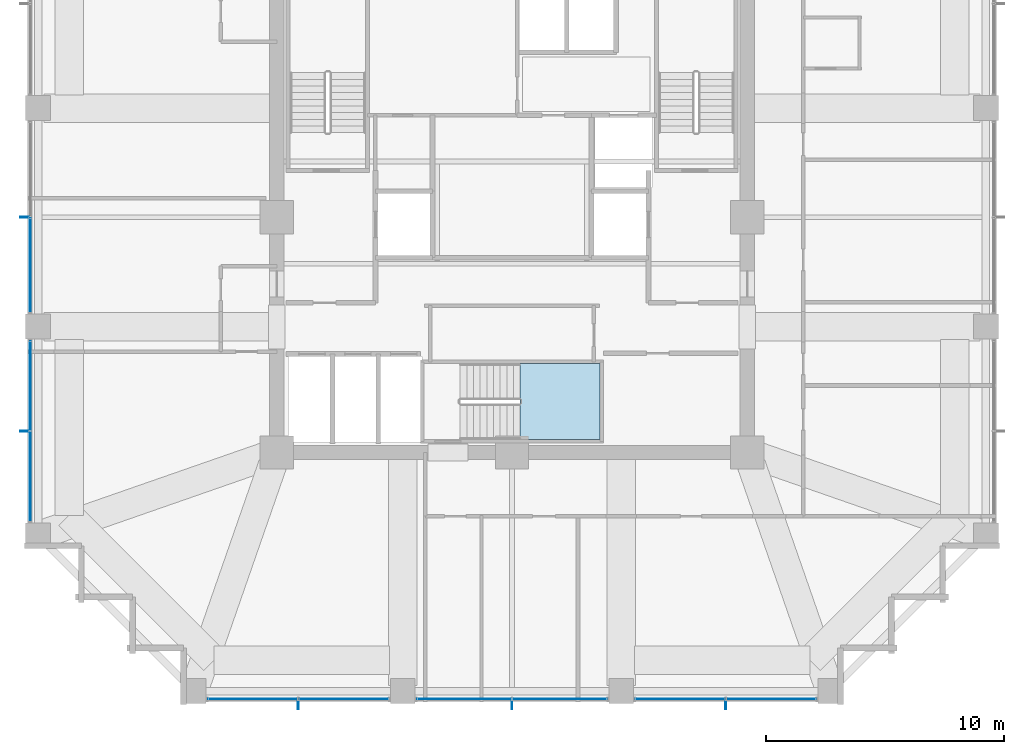
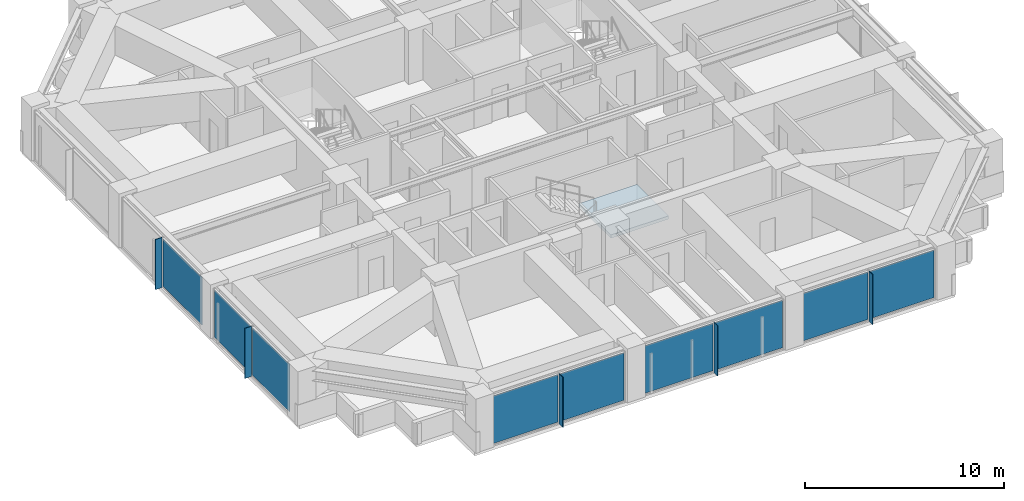
# One storey, part 25 of 34: 14 plates, 1 slab, 6 elements without a shape of their own.
"""IFC4 building model written with IfcOpenShell, lengths in metres."""

import ifcopenshell
import ifcopenshell.guid

model = None  # the IFC model being written
_history = None  # IfcOwnerHistory: only IFC2X3 demands one
_inside = {}  # id of a spatial element -> (the spatial element, [elements in it])
_under = {}  # id of a project, library or spatial element -> (it, [spatial elements below it])
_declared = {}  # id of a project -> (the project, [libraries it declares])
_typed = {}  # id of a type object -> (the type object, [elements of that type])
_made_of = {}  # id of a material, layer set ... -> (it, [elements and type objects made of it])


def new_model(schema):
    """Start an empty IFC model of exactly this schema.

    Asked for "IFC4X3", IfcOpenShell would pick the latest addendum, in which some entities
    have other attributes; the version numbers below select the first issue.
    IFC2X3 requires an IfcOwnerHistory on every rooted entity: one is made here for all.
    """
    global model, _history
    if schema == "IFC4X3":
        model = ifcopenshell.file(schema_version=(4, 3, 0, 0))
    else:
        model = ifcopenshell.file(schema=schema)
    _inside.clear()
    _under.clear()
    _declared.clear()
    _typed.clear()
    _made_of.clear()
    _history = None
    if model.schema == "IFC2X3":
        org = make("IfcOrganization", Name="unknown")
        user = make(
            "IfcPersonAndOrganization",
            ThePerson=make("IfcPerson", FamilyName="unknown"),
            TheOrganization=org,
        )
        app = make(
            "IfcApplication",
            ApplicationDeveloper=org,
            Version="unknown",
            ApplicationFullName="unknown",
            ApplicationIdentifier="unknown",
        )
        _history = make(
            "IfcOwnerHistory",
            OwningUser=user,
            OwningApplication=app,
            ChangeAction="ADDED",
            CreationDate=0,
        )
    return model


def make(cls, **values):
    """One entity of the class cls with the attributes given. An attribute that is None is left unset."""
    return model.create_entity(
        cls, **{name: value for name, value in values.items() if value is not None}
    )


def rooted(cls, **values):
    """An entity with a GlobalId (a new one), such as an element, a storey or a relation."""
    return make(cls, GlobalId=ifcopenshell.guid.new(), OwnerHistory=_history, **values)


def si_unit(unit_type, name, prefix=None):
    """IfcSIUnit, for example si_unit("LENGTHUNIT", "METRE", prefix="MILLI")."""
    return make("IfcSIUnit", UnitType=unit_type, Prefix=prefix, Name=name)


def assignment(units):
    """IfcUnitAssignment: the units of a project."""
    return None if units is None else make("IfcUnitAssignment", Units=units)


def point(xyz):
    """IfcCartesianPoint."""
    return None if xyz is None else make("IfcCartesianPoint", Coordinates=xyz)


def direction(xyz):
    """IfcDirection."""
    return None if xyz is None else make("IfcDirection", DirectionRatios=xyz)


def frame(location, z_axis=None, x_axis=None):
    """IfcAxis2Placement3D, a coordinate frame: its origin and axes. An axis left out is left unset."""
    return make(
        "IfcAxis2Placement3D",
        Location=point(location),
        Axis=direction(z_axis),
        RefDirection=direction(x_axis),
    )


def frame_2d(location, x_axis=None):
    """IfcAxis2Placement2D, a coordinate frame in the plane: its origin and x axis."""
    return make(
        "IfcAxis2Placement2D", Location=point(location), RefDirection=direction(x_axis)
    )


def origin():
    """The frame at (0, 0, 0) with its axes left unset."""
    return frame((0.0, 0.0, 0.0))


def origin_2d():
    """The frame at (0, 0) in the plane with its x axis left unset."""
    return frame_2d((0.0, 0.0))


def place(relative_to, where):
    """IfcLocalPlacement: puts the frame where relative to a parent placement (None: the world)."""
    return make(
        "IfcLocalPlacement", PlacementRelTo=relative_to, RelativePlacement=where
    )


def context(
    kind, dimensions, precision=None, world=None, true_north=None, identifier=None
):
    """IfcGeometricRepresentationContext, for example the 3D "Model" context."""
    return make(
        "IfcGeometricRepresentationContext",
        ContextIdentifier=identifier,
        ContextType=kind,
        CoordinateSpaceDimension=dimensions,
        Precision=precision,
        WorldCoordinateSystem=world,
        TrueNorth=true_north,
    )


def subcontext(parent, identifier, kind, view, scale=None):
    """IfcGeometricRepresentationSubContext, for example "Body" below "Model"."""
    return make(
        "IfcGeometricRepresentationSubContext",
        ContextIdentifier=identifier,
        ContextType=kind,
        ParentContext=parent,
        TargetScale=scale,
        TargetView=view,
    )


def project(units=None, contexts=None):
    """IfcProject with its units and contexts."""
    return rooted(
        "IfcProject",
        Name="project",
        RepresentationContexts=contexts,
        UnitsInContext=assignment(units),
    )


def spatial(cls, under=None, at=None, **own):
    """A site, building, storey or space (cls), placed at a placement, below another one or the project."""
    s = rooted(cls, ObjectPlacement=at, **own)
    if under is not None:
        _under.setdefault(under.id(), (under, []))[1].append(s)
    return s


def polyline(points):
    """IfcPolyline through the points."""
    return make("IfcPolyline", Points=[point(p) for p in points])


def profile(cls, at=None, kind="AREA", **sizes):
    """A parametric profile (cls). Its sizes go by their IFC names, for example OverallWidth=200.0."""
    return make(cls, ProfileType=kind, Position=at, **sizes)


def rectangle(**sizes):
    """IfcRectangleProfileDef."""
    return profile("IfcRectangleProfileDef", **sizes)


def outline(outer, holes=None, kind="AREA"):
    """IfcArbitraryClosedProfileDef: a profile drawn as a closed curve; with holes, ...WithVoids."""
    if holes is None:
        return make("IfcArbitraryClosedProfileDef", ProfileType=kind, OuterCurve=outer)
    return make(
        "IfcArbitraryProfileDefWithVoids",
        ProfileType=kind,
        OuterCurve=outer,
        InnerCurves=holes,
    )


def extrude(swept, where, along, depth):
    """IfcExtrudedAreaSolid: the profile swept, set in the frame where, extruded along a direction by depth."""
    return make(
        "IfcExtrudedAreaSolid",
        SweptArea=swept,
        Position=where,
        ExtrudedDirection=direction(along),
        Depth=depth,
    )


def shape(context_of_items, identifier, shape_type, items):
    """IfcShapeRepresentation: the items that make up one representation, for example the "Body"."""
    return make(
        "IfcShapeRepresentation",
        ContextOfItems=context_of_items,
        RepresentationIdentifier=identifier,
        RepresentationType=shape_type,
        Items=items,
    )


def material(Name=None, Category=None):
    """IfcMaterial."""
    return make("IfcMaterial", Name=Name, Category=Category)


def layer(
    of_material, thickness, ventilated=None, Name=None, Category=None, Priority=None
):
    """IfcMaterialLayer: one layer of a wall or slab, of a material (None: an air gap)."""
    return make(
        "IfcMaterialLayer",
        Material=of_material,
        LayerThickness=thickness,
        IsVentilated=ventilated,
        Name=Name,
        Category=Category,
        Priority=Priority,
    )


def layer_set(layers, Name=None):
    """IfcMaterialLayerSet."""
    return make("IfcMaterialLayerSet", MaterialLayers=layers, LayerSetName=Name)


def made_of(thing, what):
    """Note that an element or type object is made of a material, layer set ...; save() writes the relation."""
    if what is not None:
        _made_of.setdefault(what.id(), (what, []))[1].append(thing)
    return thing


def type_object(cls, material=None, **own):
    """A type object (cls), such as IfcWallType, which elements share."""
    return made_of(rooted(cls, **own), material)


def element(
    cls,
    number,
    at=None,
    inside=None,
    cuts=None,
    type_object=None,
    material=None,
    context=None,
    identifier="Body",
    shape_type=None,
    held_by="IfcProductDefinitionShape",
    body=None,
    shapes=None,
    **own,
):
    """One element of the class cls, such as IfcWall. Its Tag is "e" and its number.

    at: its placement. inside: the storey or other place that contains it. cuts: it is an
    opening in that element (IfcRelVoidsElement). A single representation is given by context,
    identifier, shape_type and body (its items); several are given by shapes. held_by: the class
    of the entity that holds the representations. save() writes the other relations.
    """
    e = rooted(cls, Tag="e%d" % number, ObjectPlacement=at, **own)
    if body is not None:
        shapes = [shape(context, identifier, shape_type, body)]
    if shapes is not None:
        e.Representation = make(held_by, Representations=shapes)
    if inside is not None:
        _inside.setdefault(inside.id(), (inside, []))[1].append(e)
    if cuts is not None:
        rooted(
            "IfcRelVoidsElement", RelatingBuildingElement=cuts, RelatedOpeningElement=e
        )
    if type_object is not None:
        _typed.setdefault(type_object.id(), (type_object, []))[1].append(e)
    return made_of(e, material)


def aggregate(whole, parts):
    """IfcRelAggregates: a whole, such as a stair, and the parts it consists of."""
    return rooted("IfcRelAggregates", RelatingObject=whole, RelatedObjects=parts)


def save(model, path):
    """Write the relations noted so far, then the file.

    IfcRelAggregates (storeys below a building ...), IfcRelContainedInSpatialStructure (elements
    in a storey), IfcRelDefinesByType, IfcRelAssociatesMaterial and IfcRelDeclares: one each for
    every whole, place, type object, material and project.
    """
    for whole, parts in _under.values():
        aggregate(whole, parts)
    for where, things in _inside.values():
        rooted(
            "IfcRelContainedInSpatialStructure",
            RelatedElements=things,
            RelatingStructure=where,
        )
    for kind, things in _typed.values():
        rooted("IfcRelDefinesByType", RelatedObjects=things, RelatingType=kind)
    for what, things in _made_of.values():
        rooted("IfcRelAssociatesMaterial", RelatedObjects=things, RelatingMaterial=what)
    for by, libraries in _declared.values():
        rooted("IfcRelDeclares", RelatingContext=by, RelatedDefinitions=libraries)
    model.write(path)


model = new_model("IFC4")

# Units and contexts
model_context = context("Model", 3, precision=1e-05, world=origin(), true_north=direction((0.0, 1.0)))
body_context = subcontext(model_context, "Body", "Model", "MODEL_VIEW")
ifc_project = project(units=[si_unit("LENGTHUNIT", "METRE"), si_unit("AREAUNIT", "SQUARE_METRE"), si_unit("VOLUMEUNIT", "CUBIC_METRE"), si_unit("PLANEANGLEUNIT", "RADIAN"), si_unit("MASSUNIT", "GRAM", prefix="KILO")], contexts=[model_context])

# Site, building, storey
site_placement = place(None, origin())
site = spatial("IfcSite", under=ifc_project, at=site_placement, CompositionType="ELEMENT")
building_placement = place(site_placement, origin())
building = spatial("IfcBuilding", under=site, at=building_placement, Name="Kolvaren Belvedere", CompositionType="ELEMENT")
storey_placement = place(building_placement, frame((0.0, 0.0, 105.199951171875)))
storey = spatial("IfcBuildingStorey", under=building, at=storey_placement, Name="L30", CompositionType="ELEMENT", Elevation=105.199951171875)

# Curtain wall, plates
ifc_material_1 = material(Name="Anodised pale-metal aluminium AA 6063-T6", Category="aluminium")
curtain_wall_type = type_object("IfcCurtainWallType", Name="CW-Z2-MID", PredefinedType="NOTDEFINED", material=ifc_material_1)
curtain_wall_1_placement = place(storey_placement, origin())
curtain_wall_1 = element("IfcCurtainWall", 1, at=curtain_wall_1_placement, inside=storey, type_object=curtain_wall_type, Name="L30 Unitised Curtain Wall FCW-L30-S-B1", PredefinedType="NOTDEFINED")
ifc_material_2 = material(Name="Low-iron triple insulated glass", Category="glass")
ifc_layer_1 = layer(ifc_material_2, 0.028076171875)
ifc_layer_set_1 = layer_set([ifc_layer_1], Name="Low-iron triple insulated glass")
plate_type_1 = type_object("IfcPlateType", Name="CW-PNL-VIS28", PredefinedType="CURTAIN_PANEL", material=ifc_layer_set_1)
plate_1_placement = place(storey_placement, frame((10.9111328125, -20.280029296875, 0.080078125), z_axis=(0.0, 0.0, 1.0), x_axis=(-1.0, 0.0, 0.0)))
plate_1 = element("IfcPlate", 2, at=plate_1_placement, type_object=plate_type_1, Name="FCW-L30-S-B1 Vision Glazing Panel 1", PredefinedType="CURTAIN_PANEL", context=body_context, shape_type="SweptSolid", body=[
    extrude(rectangle(XDim=3.742431640625, YDim=0.028076171875, at=origin_2d()), origin(), (0.0, 0.0, 1.0), 2.919921875),
])
plate_2_placement = place(storey_placement, frame((7.0888671875, -20.280029296875, 0.080078125), z_axis=(0.0, 0.0, 1.0), x_axis=(-1.0, 0.0, 0.0)))
plate_2 = element("IfcPlate", 3, at=plate_2_placement, type_object=plate_type_1, Name="FCW-L30-S-B1 Vision Glazing Panel 2", PredefinedType="CURTAIN_PANEL", context=body_context, shape_type="SweptSolid", body=[
    extrude(rectangle(XDim=3.742431640625, YDim=0.028076171875, at=origin_2d()), origin(), (0.0, 0.0, 1.0), 2.919921875),
])
aggregate(curtain_wall_1, [plate_1, plate_2])

curtain_wall_2_placement = place(storey_placement, origin())
curtain_wall_2 = element("IfcCurtainWall", 4, at=curtain_wall_2_placement, inside=storey, type_object=curtain_wall_type, Name="L30 Unitised Curtain Wall FCW-L30-S-B2", PredefinedType="NOTDEFINED")
plate_3_placement = place(storey_placement, frame((2.01123046875, -20.280029296875, 0.080078125), z_axis=(0.0, 0.0, 1.0), x_axis=(-1.0, 0.0, 0.0)))
plate_3 = element("IfcPlate", 5, at=plate_3_placement, type_object=plate_type_1, Name="FCW-L30-S-B2 Vision Glazing Panel 1", PredefinedType="CURTAIN_PANEL", context=body_context, shape_type="SweptSolid", body=[
    extrude(rectangle(XDim=3.9423828125, YDim=0.028076171875, at=origin_2d()), origin(), (0.0, 0.0, 1.0), 2.919921875),
])
plate_4_placement = place(storey_placement, frame((-2.01123046875, -20.280029296875, 0.080078125), z_axis=(0.0, 0.0, 1.0), x_axis=(-1.0, 0.0, 0.0)))
plate_4 = element("IfcPlate", 6, at=plate_4_placement, type_object=plate_type_1, Name="FCW-L30-S-B2 Vision Glazing Panel 2", PredefinedType="CURTAIN_PANEL", context=body_context, shape_type="SweptSolid", body=[
    extrude(rectangle(XDim=3.9423828125, YDim=0.028076171875, at=origin_2d()), origin(), (0.0, 0.0, 1.0), 2.919921875),
])
aggregate(curtain_wall_2, [plate_3, plate_4])

curtain_wall_3_placement = place(storey_placement, origin())
curtain_wall_3 = element("IfcCurtainWall", 7, at=curtain_wall_3_placement, inside=storey, type_object=curtain_wall_type, Name="L30 Unitised Curtain Wall FCW-L30-S-B3", PredefinedType="NOTDEFINED")
plate_5_placement = place(storey_placement, frame((-7.0888671875, -20.280029296875, 0.080078125), z_axis=(0.0, 0.0, 1.0), x_axis=(-1.0, 0.0, 0.0)))
plate_5 = element("IfcPlate", 8, at=plate_5_placement, type_object=plate_type_1, Name="FCW-L30-S-B3 Vision Glazing Panel 1", PredefinedType="CURTAIN_PANEL", context=body_context, shape_type="SweptSolid", body=[
    extrude(rectangle(XDim=3.742431640625, YDim=0.028076171875, at=origin_2d()), origin(), (0.0, 0.0, 1.0), 2.919921875),
])
plate_6_placement = place(storey_placement, frame((-10.9111328125, -20.280029296875, 0.080078125), z_axis=(0.0, 0.0, 1.0), x_axis=(-1.0, 0.0, 0.0)))
plate_6 = element("IfcPlate", 9, at=plate_6_placement, type_object=plate_type_1, Name="FCW-L30-S-B3 Vision Glazing Panel 2", PredefinedType="CURTAIN_PANEL", context=body_context, shape_type="SweptSolid", body=[
    extrude(rectangle(XDim=3.742431640625, YDim=0.028076171875, at=origin_2d()), origin(), (0.0, 0.0, 1.0), 2.919921875),
])
aggregate(curtain_wall_3, [plate_5, plate_6])

curtain_wall_4_placement = place(storey_placement, origin())
curtain_wall_4 = element("IfcCurtainWall", 10, at=curtain_wall_4_placement, inside=storey, type_object=curtain_wall_type, Name="L30 Unitised Curtain Wall FCW-L30-W-B1", PredefinedType="NOTDEFINED")
plate_7_placement = place(storey_placement, frame((-20.280029296875, -10.9111328125, 0.080078125), z_axis=(0.0, 0.0, 1.0), x_axis=(0.0, 1.0, 0.0)))
plate_7 = element("IfcPlate", 11, at=plate_7_placement, type_object=plate_type_1, Name="FCW-L30-W-B1 Vision Glazing Panel 1", PredefinedType="CURTAIN_PANEL", context=body_context, shape_type="SweptSolid", body=[
    extrude(rectangle(XDim=3.742431640625, YDim=0.028076171875, at=origin_2d()), origin(), (0.0, 0.0, 1.0), 2.919921875),
])
plate_8_placement = place(storey_placement, frame((-20.280029296875, -7.0888671875, 0.080078125), z_axis=(0.0, 0.0, 1.0), x_axis=(0.0, 1.0, 0.0)))
plate_8 = element("IfcPlate", 12, at=plate_8_placement, type_object=plate_type_1, Name="FCW-L30-W-B1 Vision Glazing Panel 2", PredefinedType="CURTAIN_PANEL", context=body_context, shape_type="SweptSolid", body=[
    extrude(rectangle(XDim=3.742431640625, YDim=0.028076171875, at=origin_2d()), origin(), (0.0, 0.0, 1.0), 2.919921875),
])
aggregate(curtain_wall_4, [plate_7, plate_8])

# Curtain wall, plate
curtain_wall_5_placement = place(storey_placement, origin())
curtain_wall_5 = element("IfcCurtainWall", 13, at=curtain_wall_5_placement, inside=storey, type_object=curtain_wall_type, Name="L30 Unitised Curtain Wall FCW-L30-W-B2", PredefinedType="NOTDEFINED")
plate_9_placement = place(storey_placement, frame((-20.280029296875, -2.01123046875, 0.080078125), z_axis=(0.0, 0.0, 1.0), x_axis=(0.0, 1.0, 0.0)))
plate_9 = element("IfcPlate", 14, at=plate_9_placement, type_object=plate_type_1, Name="FCW-L30-W-B2 Vision Glazing Panel 1", PredefinedType="CURTAIN_PANEL", context=body_context, shape_type="SweptSolid", body=[
    extrude(rectangle(XDim=3.9423828125, YDim=0.028076171875, at=origin_2d()), origin(), (0.0, 0.0, 1.0), 2.919921875),
])
aggregate(curtain_wall_5, [plate_9])

# Plates
ifc_material_3 = material(Name="Anodised pale-metal aluminium AA 6063-T6", Category="aluminium")
ifc_layer_2 = layer(ifc_material_3, 0.033935546875)
ifc_layer_set_2 = layer_set([ifc_layer_2], Name="Anodised pale-metal aluminium AA 6063-T6")
plate_type_2 = type_object("IfcPlateType", Name="FIN-VERT-380", PredefinedType="USERDEFINED", material=ifc_layer_set_2)
for number, where, z_axis, x_axis, name in (
    (15, (9.0, -20.52490234375, 0.0), (0.0, 0.0, 1.0), (0.0, 1.0, 0.0), "L30 Pale-Metal Vertical Shading Fin FCW-L30-S-B1-1"),
    (16, (0.0, -20.52490234375, 0.0), (0.0, 0.0, 1.0), (0.0, 1.0, 0.0), "L30 Pale-Metal Vertical Shading Fin FCW-L30-S-B2-1"),
    (17, (-9.0, -20.52490234375, 0.0), (0.0, 0.0, 1.0), (0.0, 1.0, 0.0), "L30 Pale-Metal Vertical Shading Fin FCW-L30-S-B3-1"),
    (18, (-20.52490234375, -9.0, 0.0), (0.0, 0.0, 1.0), (1.0, 0.0, 0.0), "L30 Pale-Metal Vertical Shading Fin FCW-L30-W-B1-1"),
    (19, (-20.52490234375, 0.0, 0.0), (0.0, 0.0, 1.0), (1.0, 0.0, 0.0), "L30 Pale-Metal Vertical Shading Fin FCW-L30-W-B2-1"),
):
    element("IfcPlate", number, at=place(storey_placement, frame(where, z_axis=z_axis, x_axis=x_axis)), inside=storey, type_object=plate_type_2, Name=name, ObjectType="VERTICAL FIN", PredefinedType="USERDEFINED", context=body_context, shape_type="SweptSolid", body=[
        extrude(rectangle(XDim=0.3798828125, YDim=0.033935546875, at=origin_2d()), origin(), (0.0, 0.0, 1.0), 3.080078125),
    ])

# Stair, slab
ifc_material_4 = material(Name="Concrete C50/60", Category="concrete")
stair_type = type_object("IfcStairType", Name="ST-CORE-1520", PredefinedType="HALF_TURN_STAIR", material=ifc_material_4)
stair_placement = place(storey_placement, origin())
stair = element("IfcStair", 20, at=stair_placement, inside=storey, type_object=stair_type, Name="L30 Protected Exit Stair ST-3", PredefinedType="HALF_TURN_STAIR")
ifc_material_5 = material(Name="Concrete C50/60", Category="concrete")
ifc_layer_3 = layer(ifc_material_5, 0.260009765625)
ifc_layer_set_3 = layer_set([ifc_layer_3], Name="Concrete C50/60")
slab_type = type_object("IfcSlabType", Name="SL-LAND-260", PredefinedType="LANDING", material=ifc_layer_set_3)
slab_placement = place(storey_placement, frame((0.0, 0.0, 1.449951171875)))
slab = element("IfcSlab", 21, at=slab_placement, type_object=slab_type, Name="ST-3 landing 1", PredefinedType="LANDING", context=body_context, shape_type="SweptSolid", body=[
    extrude(outline(polyline([(0.340087890625, -9.35009765625), (3.699951171875, -9.35009765625), (3.699951171875, -6.159912109375), (0.340087890625, -6.159912109375), (0.340087890625, -9.35009765625)])), origin(), (0.0, 0.0, 1.0), 0.2001953125),
])
aggregate(stair, [slab])

save(model, "model.ifc")
